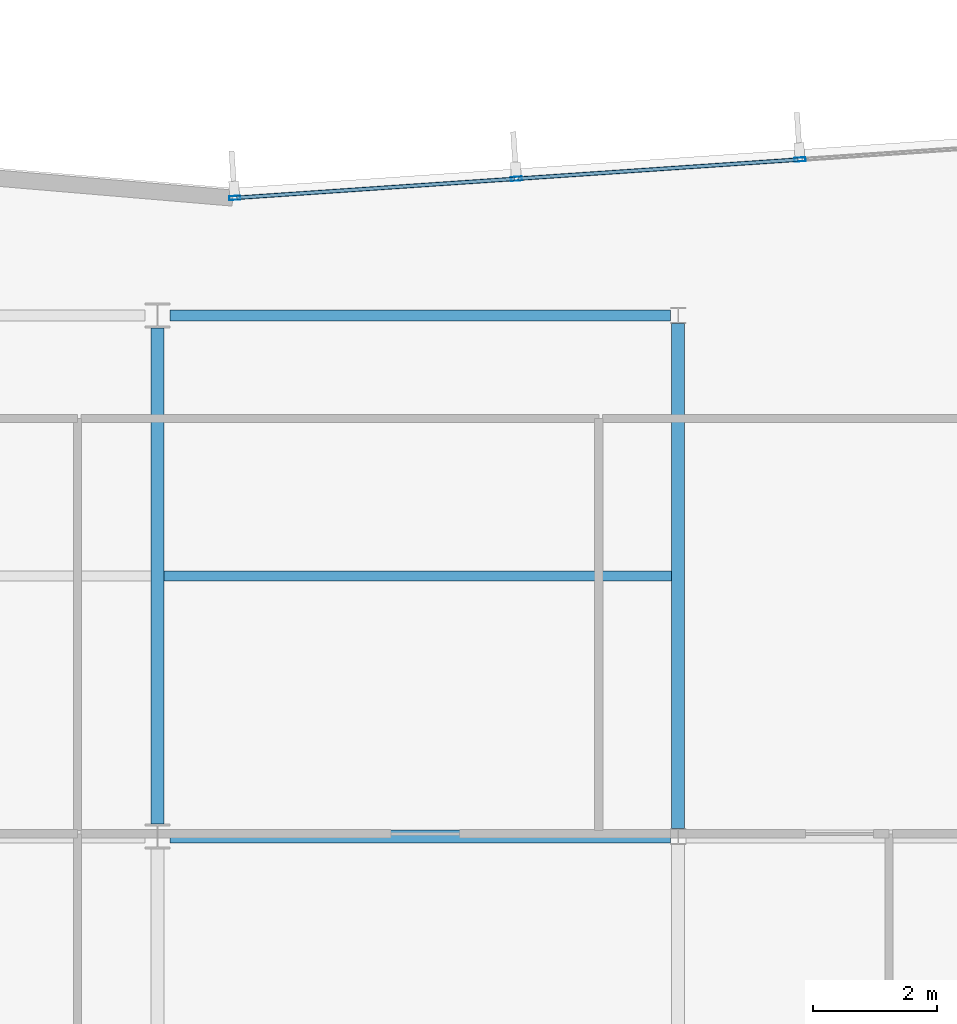
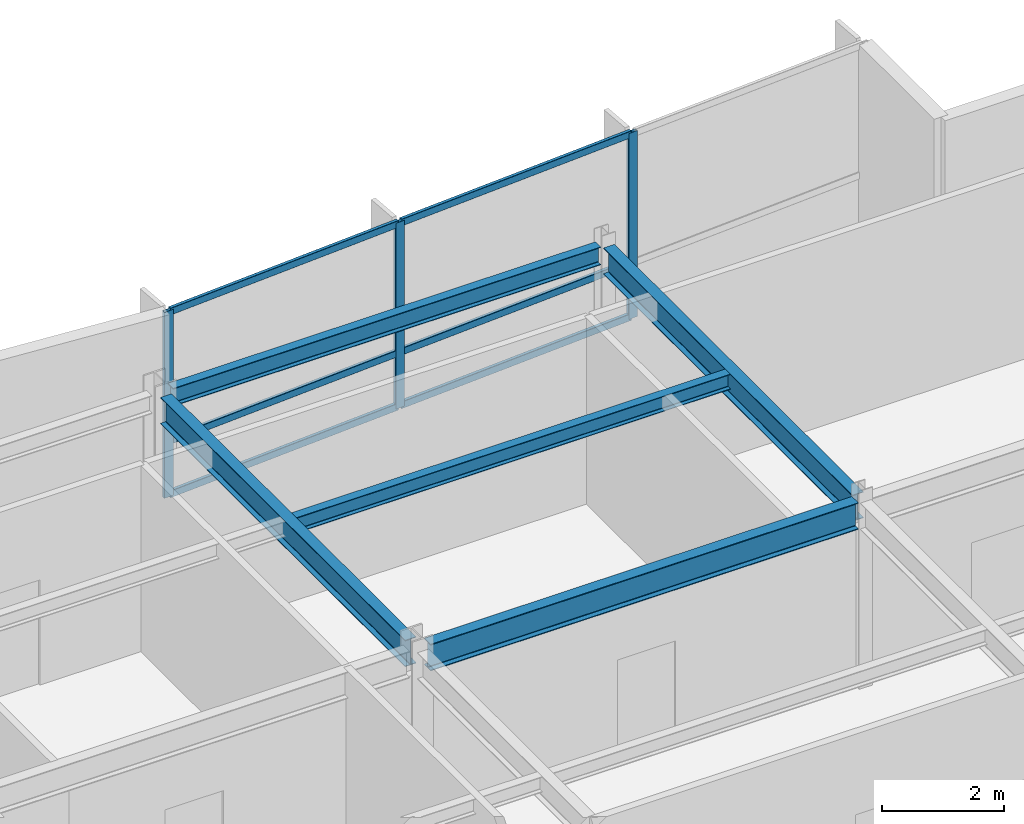
# One storey, part 6 of 15: 9 members, 5 beams, 1 element without a shape of its own.
"""IFC4 building model written with IfcOpenShell, lengths in metres."""

from ifc_helpers import new_model, si_unit, direction, frame, origin, origin_2d, place, context, subcontext, project, spatial, hollow_rectangle, i_section, extrude, material, layer, layer_set, material_profile, profile_set, type_object, element, aggregate, save


model = new_model("IFC4")

# Units and contexts
model_context = context("Model", 3, precision=1e-05, world=origin(), true_north=direction((0.0, 1.0)))
body_context = subcontext(model_context, "Body", "Model", "MODEL_VIEW")
ifc_project = project(units=[si_unit("LENGTHUNIT", "METRE"), si_unit("AREAUNIT", "SQUARE_METRE"), si_unit("VOLUMEUNIT", "CUBIC_METRE"), si_unit("PLANEANGLEUNIT", "RADIAN"), si_unit("MASSUNIT", "GRAM", prefix="KILO")], contexts=[model_context])

# Site, building, storey
site_placement = place(None, origin())
site = spatial("IfcSite", under=ifc_project, at=site_placement, CompositionType="ELEMENT")
building_placement = place(site_placement, origin())
building = spatial("IfcBuilding", under=site, at=building_placement, Name="Varnakote Quay Hospital", CompositionType="ELEMENT")
storey_placement = place(building_placement, frame((0.0, 0.0, 207.89990234375)))
storey = spatial("IfcBuildingStorey", under=building, at=storey_placement, Name="L51", CompositionType="ELEMENT", Elevation=207.89990234375)

# Beams
ifc_material_1 = material(Name="Structural steel AS/NZS 3679.1 Grade 350 L0 (fy 340 MPa)", Category="steel")
ifc_material_profile_1 = material_profile(ifc_material_1, i_section(OverallWidth=0.208984375, OverallDepth=0.528076171875, WebThickness=0.009521484375, FlangeThickness=0.01318359375, FilletRadius=0.013916015625, at=origin_2d()), Name="530UB82.0")
ifc_profile_set_1 = profile_set([ifc_material_profile_1], Name="Structural steel AS/NZS 3679.1 Grade 350 L0 (fy 340 MPa)")
beam_type_1 = type_object("IfcBeamType", Name="BM-STL-530UB82-0", PredefinedType="BEAM", material=ifc_profile_set_1)
beam_1_placement = place(storey_placement, frame((33.60009765625, 20.60205078125, 3.446044921875), z_axis=(0.0, 1.0, 0.0), x_axis=(-1.0, 0.0, 0.0)))
element("IfcBeam", 1, at=beam_1_placement, inside=storey, type_object=beam_type_1, Name="L51 Primary Tie Beam", PredefinedType="BEAM", context=body_context, shape_type="SweptSolid", body=[
    extrude(i_section(OverallWidth=0.208984375, OverallDepth=0.528076171875, WebThickness=0.009521484375, FlangeThickness=0.01318359375, FilletRadius=0.013916015625, at=origin_2d()), origin(), (0.0, 0.0, 1.0), 7.995849609375),
])
beam_2_placement = place(storey_placement, frame((42.0, 20.530029296875, 3.446044921875), z_axis=(0.0, 1.0, 0.0), x_axis=(-1.0, 0.0, 0.0)))
element("IfcBeam", 2, at=beam_2_placement, inside=storey, type_object=beam_type_1, Name="L51 Primary Tie Beam", PredefinedType="BEAM", context=body_context, shape_type="SweptSolid", body=[
    extrude(i_section(OverallWidth=0.208984375, OverallDepth=0.528076171875, WebThickness=0.009521484375, FlangeThickness=0.01318359375, FilletRadius=0.013916015625, at=origin_2d()), origin(), (0.0, 0.0, 1.0), 8.139892578125),
])
ifc_material_2 = material(Name="Structural steel AS/NZS 3679.1 Grade 350 L0 (fy 340 MPa)", Category="steel")
ifc_material_profile_2 = material_profile(ifc_material_2, i_section(OverallWidth=0.208984375, OverallDepth=0.532958984375, WebThickness=0.01025390625, FlangeThickness=0.015625, FilletRadius=0.013916015625, at=origin_2d()), Name="530UB92.4")
ifc_profile_set_2 = profile_set([ifc_material_profile_2], Name="Structural steel AS/NZS 3679.1 Grade 350 L0 (fy 340 MPa)")
beam_type_2 = type_object("IfcBeamType", Name="BM-STL-530UB92-4", PredefinedType="BEAM", material=ifc_profile_set_2)
beam_3_placement = place(storey_placement, frame((33.800048828125, 20.39990234375, 3.443603515625), z_axis=(1.0, 0.0, 0.0), x_axis=(0.0, 1.0, 0.0)))
element("IfcBeam", 3, at=beam_3_placement, inside=storey, type_object=beam_type_2, Name="L51 Primary Floor Beam", PredefinedType="BEAM", context=body_context, shape_type="SweptSolid", body=[
    extrude(i_section(OverallWidth=0.208984375, OverallDepth=0.532958984375, WebThickness=0.01025390625, FlangeThickness=0.015625, FilletRadius=0.013916015625, at=origin_2d()), origin(), (0.0, 0.0, 1.0), 8.072021484375),
])

# Curtain wall, members
ifc_material_3 = material(Name="Anodised aluminium 6063-T6 Bronze", Category="aluminium")
ifc_layer = layer(ifc_material_3, 0.219970703125)
ifc_layer_set = layer_set([ifc_layer], Name="Anodised aluminium 6063-T6 Bronze")
curtain_wall_type = type_object("IfcCurtainWallType", Name="CW-SYS-4", PredefinedType="NOTDEFINED", material=ifc_layer_set)
curtain_wall_placement = place(storey_placement, origin())
curtain_wall = element("IfcCurtainWall", 4, at=curtain_wall_placement, inside=storey, type_object=curtain_wall_type, Name="L51 Unitised Bronze Curtain Wall 2", PredefinedType="NOTDEFINED")
ifc_material_4 = material(Name="Anodised aluminium 6063-T6 Bronze", Category="aluminium")
ifc_material_profile_3 = material_profile(ifc_material_4, hollow_rectangle(XDim=0.06494140625, YDim=0.179931640625, WallThickness=0.00390625, InnerFilletRadius=0.00390625, OuterFilletRadius=0.008056640625, at=origin_2d()), Name="CW-MULL-180x65")
ifc_profile_set_3 = profile_set([ifc_material_profile_3], Name="Anodised aluminium 6063-T6 Bronze")
member_type_1 = type_object("IfcMemberType", Name="CW-MULL-180x65", PredefinedType="MULLION", material=ifc_profile_set_3)
member_1_placement = place(storey_placement, frame((43.96484375, 31.317626953125, 0.0), z_axis=(0.0, 0.0, 1.0), x_axis=(0.067841851077, -0.997696087615, 0.0)))
member_1 = element("IfcMember", 5, at=member_1_placement, type_object=member_type_1, Name="-4-L51-2 mullion 2", PredefinedType="MULLION", context=body_context, shape_type="SweptSolid", body=[
    extrude(hollow_rectangle(XDim=0.06494140625, YDim=0.179931640625, WallThickness=0.00390625, InnerFilletRadius=0.00390625, OuterFilletRadius=0.008056640625, at=origin_2d()), origin(), (0.0, 0.0, 1.0), 3.710205078125),
])
member_2_placement = place(storey_placement, frame((39.389892578125, 31.006591796875, 0.0), z_axis=(0.0, 0.0, 1.0), x_axis=(0.067841851077, -0.997696087615, 0.0)))
member_2 = element("IfcMember", 6, at=member_2_placement, type_object=member_type_1, Name="-4-L51-2 mullion 3", PredefinedType="MULLION", context=body_context, shape_type="SweptSolid", body=[
    extrude(hollow_rectangle(XDim=0.06494140625, YDim=0.179931640625, WallThickness=0.00390625, InnerFilletRadius=0.00390625, OuterFilletRadius=0.008056640625, at=origin_2d()), origin(), (0.0, 0.0, 1.0), 3.710205078125),
])
member_3_placement = place(storey_placement, frame((34.84716796875, 30.69775390625, 0.0), z_axis=(0.0, 0.0, 1.0), x_axis=(0.067841851077, -0.997696087615, 0.0)))
member_3 = element("IfcMember", 7, at=member_3_placement, type_object=member_type_1, Name="-4-L51-2 mullion 4", PredefinedType="MULLION", context=body_context, shape_type="SweptSolid", body=[
    extrude(hollow_rectangle(XDim=0.06494140625, YDim=0.179931640625, WallThickness=0.00390625, InnerFilletRadius=0.00390625, OuterFilletRadius=0.008056640625, at=origin_2d()), origin(), (0.0, 0.0, 1.0), 3.710205078125),
])
ifc_material_5 = material(Name="Anodised aluminium 6063-T6 Bronze", Category="aluminium")
ifc_material_profile_4 = material_profile(ifc_material_5, hollow_rectangle(XDim=0.06494140625, YDim=0.139892578125, WallThickness=0.00390625, InnerFilletRadius=0.00390625, OuterFilletRadius=0.007568359375, at=origin_2d()), Name="CW-TRAN-140x65")
ifc_profile_set_4 = profile_set([ifc_material_profile_4], Name="Anodised aluminium 6063-T6 Bronze")
member_type_2 = type_object("IfcMemberType", Name="CW-TRAN-140x65", PredefinedType="USERDEFINED", material=ifc_profile_set_4)
member_4_placement = place(storey_placement, frame((43.932373046875, 31.3154296875, 0.03271484375), z_axis=(-0.997696835235, -0.06783085553, 0.0), x_axis=(0.06783085553, -0.997696835235, 0.0)))
member_4 = element("IfcMember", 8, at=member_4_placement, type_object=member_type_2, Name="-4-L51-2 transom 2.1", ObjectType="TRANSOM", PredefinedType="USERDEFINED", context=body_context, shape_type="SweptSolid", body=[
    extrude(hollow_rectangle(XDim=0.06494140625, YDim=0.139892578125, WallThickness=0.00390625, InnerFilletRadius=0.00390625, OuterFilletRadius=0.007568359375, at=origin_2d()), origin(), (0.0, 0.0, 1.0), 4.520751953125),
])
member_5_placement = place(storey_placement, frame((43.932373046875, 31.3154296875, 1.10009765625), z_axis=(-0.997696835235, -0.06783085553, 0.0), x_axis=(0.06783085553, -0.997696835235, 0.0)))
member_5 = element("IfcMember", 9, at=member_5_placement, type_object=member_type_2, Name="-4-L51-2 transom 2.2", ObjectType="TRANSOM", PredefinedType="USERDEFINED", context=body_context, shape_type="SweptSolid", body=[
    extrude(hollow_rectangle(XDim=0.06494140625, YDim=0.139892578125, WallThickness=0.00390625, InnerFilletRadius=0.00390625, OuterFilletRadius=0.007568359375, at=origin_2d()), origin(), (0.0, 0.0, 1.0), 4.520751953125),
])
member_6_placement = place(storey_placement, frame((43.932373046875, 31.3154296875, 3.677490234375), z_axis=(-0.997696835235, -0.06783085553, 0.0), x_axis=(0.06783085553, -0.997696835235, 0.0)))
member_6 = element("IfcMember", 10, at=member_6_placement, type_object=member_type_2, Name="-4-L51-2 transom 2.3", ObjectType="TRANSOM", PredefinedType="USERDEFINED", context=body_context, shape_type="SweptSolid", body=[
    extrude(hollow_rectangle(XDim=0.06494140625, YDim=0.139892578125, WallThickness=0.00390625, InnerFilletRadius=0.00390625, OuterFilletRadius=0.007568359375, at=origin_2d()), origin(), (0.0, 0.0, 1.0), 4.520751953125),
])
member_7_placement = place(storey_placement, frame((39.357421875, 31.00439453125, 0.03271484375), z_axis=(-0.997696679404, -0.06783314755, 0.0), x_axis=(0.06783314755, -0.997696679404, 0.0)))
member_7 = element("IfcMember", 11, at=member_7_placement, type_object=member_type_2, Name="-4-L51-2 transom 3.1", ObjectType="TRANSOM", PredefinedType="USERDEFINED", context=body_context, shape_type="SweptSolid", body=[
    extrude(hollow_rectangle(XDim=0.06494140625, YDim=0.139892578125, WallThickness=0.00390625, InnerFilletRadius=0.00390625, OuterFilletRadius=0.007568359375, at=origin_2d()), origin(), (0.0, 0.0, 1.0), 4.488037109375),
])
member_8_placement = place(storey_placement, frame((39.357421875, 31.00439453125, 1.10009765625), z_axis=(-0.997696679404, -0.06783314755, 0.0), x_axis=(0.06783314755, -0.997696679404, 0.0)))
member_8 = element("IfcMember", 12, at=member_8_placement, type_object=member_type_2, Name="-4-L51-2 transom 3.2", ObjectType="TRANSOM", PredefinedType="USERDEFINED", context=body_context, shape_type="SweptSolid", body=[
    extrude(hollow_rectangle(XDim=0.06494140625, YDim=0.139892578125, WallThickness=0.00390625, InnerFilletRadius=0.00390625, OuterFilletRadius=0.007568359375, at=origin_2d()), origin(), (0.0, 0.0, 1.0), 4.488037109375),
])
member_9_placement = place(storey_placement, frame((39.357421875, 31.00439453125, 3.677490234375), z_axis=(-0.997696679404, -0.06783314755, 0.0), x_axis=(0.06783314755, -0.997696679404, 0.0)))
member_9 = element("IfcMember", 13, at=member_9_placement, type_object=member_type_2, Name="-4-L51-2 transom 3.3", ObjectType="TRANSOM", PredefinedType="USERDEFINED", context=body_context, shape_type="SweptSolid", body=[
    extrude(hollow_rectangle(XDim=0.06494140625, YDim=0.139892578125, WallThickness=0.00390625, InnerFilletRadius=0.00390625, OuterFilletRadius=0.007568359375, at=origin_2d()), origin(), (0.0, 0.0, 1.0), 4.488037109375),
])
aggregate(curtain_wall, [member_1, member_2, member_3, member_4, member_5, member_6, member_7, member_8, member_9])

# Beams
ifc_material_6 = material(Name="Structural steel AS/NZS 3679.1 Grade 350 L0 (fy 340 MPa)", Category="steel")
ifc_material_profile_5 = material_profile(ifc_material_6, i_section(OverallWidth=0.166015625, OverallDepth=0.306884765625, WebThickness=0.006591796875, FlangeThickness=0.01171875, FilletRadius=0.011474609375, at=origin_2d()), Name="310UB46.2")
ifc_profile_set_5 = profile_set([ifc_material_profile_5], Name="Structural steel AS/NZS 3679.1 Grade 350 L0 (fy 340 MPa)")
beam_type_3 = type_object("IfcBeamType", Name="JST-STL-310UB46-2", PredefinedType="JOIST", material=ifc_profile_set_5)
beam_4_placement = place(storey_placement, frame((33.70458984375, 24.60009765625, 3.556640625), z_axis=(1.0, 0.0, 0.0), x_axis=(0.0, 1.0, 0.0)))
element("IfcBeam", 14, at=beam_4_placement, inside=storey, type_object=beam_type_3, Name="L51 Composite Floor Joist", PredefinedType="JOIST", context=body_context, shape_type="SweptSolid", body=[
    extrude(i_section(OverallWidth=0.166015625, OverallDepth=0.306884765625, WebThickness=0.006591796875, FlangeThickness=0.01171875, FilletRadius=0.011474609375, at=origin_2d()), origin(), (0.0, 0.0, 1.0), 8.19091796875),
])
ifc_material_7 = material(Name="Structural steel AS/NZS 3679.1 Grade 350 L0 (fy 340 MPa)", Category="steel")
ifc_material_profile_6 = material_profile(ifc_material_7, i_section(OverallWidth=0.172119140625, OverallDepth=0.35888671875, WebThickness=0.008056640625, FlangeThickness=0.012939453125, FilletRadius=0.011474609375, at=origin_2d()), Name="360UB56.7")
ifc_profile_set_6 = profile_set([ifc_material_profile_6], Name="Structural steel AS/NZS 3679.1 Grade 350 L0 (fy 340 MPa)")
beam_type_4 = type_object("IfcBeamType", Name="SPN-STL-360UB56-7", PredefinedType="SPANDREL", material=ifc_profile_set_6)
beam_5_placement = place(storey_placement, frame((33.800048828125, 28.800048828125, 3.530517578125), z_axis=(1.0, 0.0, 0.0), x_axis=(0.0, 1.0, 0.0)))
element("IfcBeam", 15, at=beam_5_placement, inside=storey, type_object=beam_type_4, Name="L51 Perimeter Spandrel Beam", PredefinedType="SPANDREL", context=body_context, shape_type="SweptSolid", body=[
    extrude(i_section(OverallWidth=0.172119140625, OverallDepth=0.35888671875, WebThickness=0.008056640625, FlangeThickness=0.012939453125, FilletRadius=0.011474609375, at=origin_2d()), origin(), (0.0, 0.0, 1.0), 8.072021484375),
])

save(model, "model.ifc")
